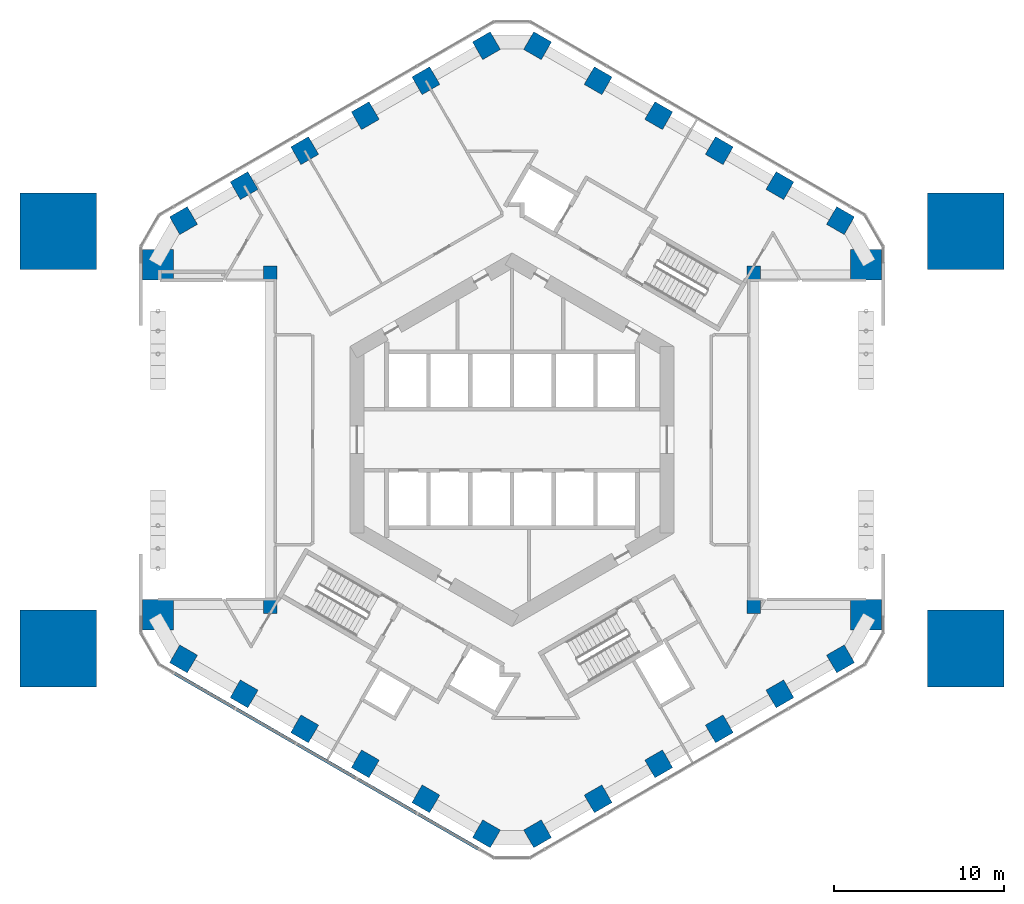
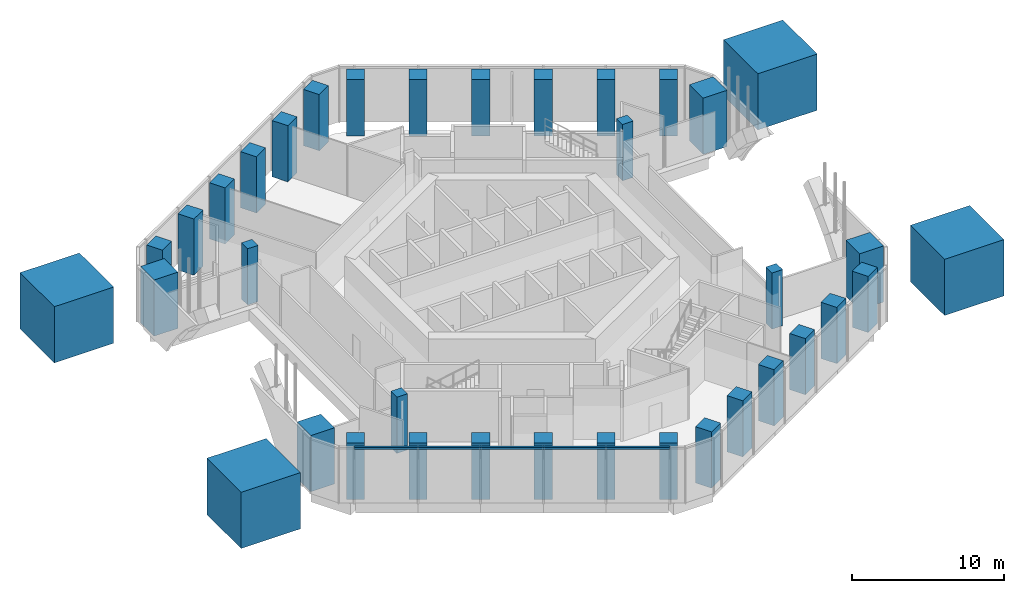
# One storey, part 1 of 14: 36 columns, 1 member, 1 element without a shape of its own.
"""IFC4 building model written with IfcOpenShell, lengths in metres."""

from ifc_helpers import new_model, si_unit, direction, frame, origin, origin_2d, place, context, subcontext, project, spatial, rectangle, extrude, material, layer, layer_set, material_profile, profile_set, type_object, element, aggregate, save


model = new_model("IFC4")

# Units and contexts
model_context = context("Model", 3, precision=1e-05, world=origin(), true_north=direction((0.0, 1.0)))
body_context = subcontext(model_context, "Body", "Model", "MODEL_VIEW")
ifc_project = project(units=[si_unit("LENGTHUNIT", "METRE"), si_unit("AREAUNIT", "SQUARE_METRE"), si_unit("VOLUMEUNIT", "CUBIC_METRE"), si_unit("PLANEANGLEUNIT", "RADIAN"), si_unit("MASSUNIT", "GRAM", prefix="KILO")], contexts=[model_context])

# Site, building, storey
site_placement = place(None, origin())
site = spatial("IfcSite", under=ifc_project, at=site_placement, CompositionType="ELEMENT")
building_placement = place(site_placement, origin())
building = spatial("IfcBuilding", under=site, at=building_placement, Name="Ayvan Gate Tower", CompositionType="ELEMENT")
storey_placement = place(building_placement, frame((0.0, 0.0, 11.5)))
storey = spatial("IfcBuildingStorey", under=building, at=storey_placement, Name="L02", CompositionType="ELEMENT", Elevation=11.5)

# Columns
ifc_material_1 = material(Name="Concrete C70/85", Category="concrete")
ifc_material_profile_1 = material_profile(ifc_material_1, rectangle(XDim=0.800048828125, YDim=0.800048828125, at=origin_2d()), Name="RC 800x800")
ifc_profile_set_1 = profile_set([ifc_material_profile_1], Name="Concrete C70/85")
column_type_1 = type_object("IfcColumnType", Name="Opening jamb column RC 800x800 C70/85", PredefinedType="COLUMN", material=ifc_profile_set_1)
for number, where, z_axis, x_axis, name in (
    (1, (14.199951171875, -9.7978515625, 0.0), (0.0, 0.0, 1.0), (1.0, 0.0, 0.0), "JC-L02-0-A"),
    (2, (14.199951171875, 9.7978515625, 0.0), (0.0, 0.0, 1.0), (1.0, 0.0, 0.0), "JC-L02-0-B"),
    (3, (-14.199951171875, 9.7978515625, 0.0), (0.0, 0.0, 1.0), (-1.0, 0.0, 0.0), "JC-L02-3-A"),
    (4, (-14.199951171875, -9.7978515625, 0.0), (0.0, 0.0, 1.0), (-1.0, 0.0, 0.0), "JC-L02-3-B"),
):
    element("IfcColumn", number, at=place(storey_placement, frame(where, z_axis=z_axis, x_axis=x_axis)), inside=storey, type_object=column_type_1, Name=name, PredefinedType="COLUMN", context=body_context, shape_type="SweptSolid", body=[
        extrude(rectangle(XDim=0.800048828125, YDim=0.800048828125, at=origin_2d()), origin(), (0.0, 0.0, 1.0), 4.5),
    ])
ifc_material_2 = material(Name="Concrete C60/75", Category="concrete")
ifc_material_profile_2 = material_profile(ifc_material_2, rectangle(XDim=4.5, YDim=4.5, at=origin_2d()), Name="RC 4500x4500")
ifc_profile_set_2 = profile_set([ifc_material_profile_2], Name="Concrete C60/75")
column_type_2 = type_object("IfcColumnType", Name="Portal pier RC 4500x4500 C60/75", PredefinedType="COLUMN", material=ifc_profile_set_2)
for number, where, z_axis, x_axis, name in (
    (5, (26.634521484375, 12.25, 0.0), (0.0, 0.0, 1.0), (1.0, 0.0, 0.0), "Portal pier PP-E-N L02"),
    (6, (26.634521484375, -12.25, 0.0), (0.0, 0.0, 1.0), (1.0, 0.0, 0.0), "Portal pier PP-E-S L02"),
    (7, (-26.634521484375, -12.25, 0.0), (0.0, 0.0, 1.0), (-1.0, 0.0, 0.0), "Portal pier PP-W-S L02"),
    (8, (-26.634521484375, 12.25, 0.0), (0.0, 0.0, 1.0), (-1.0, 0.0, 0.0), "Portal pier PP-W-N L02"),
):
    element("IfcColumn", number, at=place(storey_placement, frame(where, z_axis=z_axis, x_axis=x_axis)), inside=storey, type_object=column_type_2, Name=name, PredefinedType="COLUMN", context=body_context, shape_type="SweptSolid", body=[
        extrude(rectangle(XDim=4.5, YDim=4.5, at=origin_2d()), origin(), (0.0, 0.0, 1.0), 4.5),
    ])
ifc_material_profile_3 = material_profile(ifc_material_1, rectangle(XDim=1.199951171875, YDim=1.199951171875, at=origin_2d()), Name="RC 1200x1200")
ifc_profile_set_3 = profile_set([ifc_material_profile_3], Name="Concrete C70/85")
column_type_3 = type_object("IfcColumnType", Name="Tube column RC 1200x1200 C70/85", PredefinedType="COLUMN", material=ifc_profile_set_3)
for number, where, z_axis, x_axis, name in (
    (9, (19.28466796875, 12.865966796875, 0.0), (0.0, 0.0, 1.0), (0.5, 0.866025403784, 0.0), "C-T1-0-L02"),
    (10, (15.727783203125, 14.919677734375, 0.0), (0.0, 0.0, 1.0), (0.5, 0.866025403784, 0.0), "C-T1-1-L02"),
    (11, (12.170654296875, 16.97314453125, 0.0), (0.0, 0.0, 1.0), (0.5, 0.866025403784, 0.0), "C-T1-2-L02"),
    (12, (8.61376953125, 19.02685546875, 0.0), (0.0, 0.0, 1.0), (0.5, 0.866025403784, 0.0), "C-T1-3-L02"),
    (13, (5.056884765625, 21.080322265625, 0.0), (0.0, 0.0, 1.0), (0.5, 0.866025403784, 0.0), "C-T1-4-L02"),
    (14, (1.5, 23.134033203125, 0.0), (0.0, 0.0, 1.0), (0.5, 0.866025403784, 0.0), "C-T1-5-L02"),
    (15, (-1.5, 23.134033203125, 0.0), (0.0, 0.0, 1.0), (-0.5, 0.866025403784, 0.0), "C-T2-0-L02"),
    (16, (-5.056884765625, 21.080322265625, 0.0), (0.0, 0.0, 1.0), (-0.5, 0.866025403784, 0.0), "C-T2-1-L02"),
    (17, (-8.61376953125, 19.02685546875, 0.0), (0.0, 0.0, 1.0), (-0.5, 0.866025403784, 0.0), "C-T2-2-L02"),
    (18, (-12.170654296875, 16.97314453125, 0.0), (0.0, 0.0, 1.0), (-0.5, 0.866025403784, 0.0), "C-T2-3-L02"),
    (19, (-15.727783203125, 14.919677734375, 0.0), (0.0, 0.0, 1.0), (-0.5, 0.866025403784, 0.0), "C-T2-4-L02"),
    (20, (-19.28466796875, 12.865966796875, 0.0), (0.0, 0.0, 1.0), (-0.5, 0.866025403784, 0.0), "C-T2-5-L02"),
    (21, (-19.28466796875, -12.865966796875, 0.0), (0.0, 0.0, 1.0), (-0.5, -0.866025403784, 0.0), "C-T4-0-L02"),
    (22, (-15.727783203125, -14.919677734375, 0.0), (0.0, 0.0, 1.0), (-0.5, -0.866025403784, 0.0), "C-T4-1-L02"),
    (23, (-12.170654296875, -16.97314453125, 0.0), (0.0, 0.0, 1.0), (-0.5, -0.866025403784, 0.0), "C-T4-2-L02"),
    (24, (-8.61376953125, -19.02685546875, 0.0), (0.0, 0.0, 1.0), (-0.5, -0.866025403784, 0.0), "C-T4-3-L02"),
    (25, (-5.056884765625, -21.080322265625, 0.0), (0.0, 0.0, 1.0), (-0.5, -0.866025403784, 0.0), "C-T4-4-L02"),
    (26, (-1.5, -23.134033203125, 0.0), (0.0, 0.0, 1.0), (-0.5, -0.866025403784, 0.0), "C-T4-5-L02"),
    (27, (1.5, -23.134033203125, 0.0), (0.0, 0.0, 1.0), (0.5, -0.866025403784, 0.0), "C-T5-0-L02"),
    (28, (5.056884765625, -21.080322265625, 0.0), (0.0, 0.0, 1.0), (0.5, -0.866025403784, 0.0), "C-T5-1-L02"),
    (29, (8.61376953125, -19.02685546875, 0.0), (0.0, 0.0, 1.0), (0.5, -0.866025403784, 0.0), "C-T5-2-L02"),
    (30, (12.170654296875, -16.97314453125, 0.0), (0.0, 0.0, 1.0), (0.5, -0.866025403784, 0.0), "C-T5-3-L02"),
    (31, (15.727783203125, -14.919677734375, 0.0), (0.0, 0.0, 1.0), (0.5, -0.866025403784, 0.0), "C-T5-4-L02"),
    (32, (19.28466796875, -12.865966796875, 0.0), (0.0, 0.0, 1.0), (0.5, -0.866025403784, 0.0), "C-T5-5-L02"),
):
    element("IfcColumn", number, at=place(storey_placement, frame(where, z_axis=z_axis, x_axis=x_axis)), inside=storey, type_object=column_type_3, Name=name, PredefinedType="COLUMN", context=body_context, shape_type="SweptSolid", body=[
        extrude(rectangle(XDim=1.199951171875, YDim=1.199951171875, at=origin_2d()), origin(), (0.0, 0.0, 1.0), 4.5),
    ])
ifc_material_profile_4 = material_profile(ifc_material_1, rectangle(XDim=1.800048828125, YDim=1.800048828125, at=origin_2d()), Name="RC 1800x1800")
ifc_profile_set_4 = profile_set([ifc_material_profile_4], Name="Concrete C70/85")
column_type_4 = type_object("IfcColumnType", Name="Tube column RC 1800x1800 C70/85", PredefinedType="COLUMN", material=ifc_profile_set_4)
for number, where, z_axis, x_axis, name in (
    (33, (20.78466796875, -10.26806640625, 0.0), (0.0, 0.0, 1.0), (1.0, 0.0, 0.0), "C-T0-0-L02"),
    (34, (20.78466796875, 10.26806640625, 0.0), (0.0, 0.0, 1.0), (1.0, 0.0, 0.0), "C-T0-5-L02"),
    (35, (-20.78466796875, 10.26806640625, 0.0), (0.0, 0.0, 1.0), (-1.0, 0.0, 0.0), "C-T3-0-L02"),
    (36, (-20.78466796875, -10.26806640625, 0.0), (0.0, 0.0, 1.0), (-1.0, 0.0, 0.0), "C-T3-5-L02"),
):
    element("IfcColumn", number, at=place(storey_placement, frame(where, z_axis=z_axis, x_axis=x_axis)), inside=storey, type_object=column_type_4, Name=name, PredefinedType="COLUMN", context=body_context, shape_type="SweptSolid", body=[
        extrude(rectangle(XDim=1.800048828125, YDim=1.800048828125, at=origin_2d()), origin(), (0.0, 0.0, 1.0), 4.5),
    ])

# Curtain wall, member
ifc_material_3 = material(Name="Bronze anodised aluminium", Category="aluminium")
ifc_layer = layer(ifc_material_3, 0.199951171875)
ifc_layer_set = layer_set([ifc_layer], Name="Bronze anodised aluminium")
curtain_wall_type = type_object("IfcCurtainWallType", Name="Stick curtain wall CW-3", PredefinedType="NOTDEFINED", material=ifc_layer_set)
curtain_wall_placement = place(storey_placement, origin())
curtain_wall = element("IfcCurtainWall", 37, at=curtain_wall_placement, inside=storey, type_object=curtain_wall_type, Name="Stick curtain wall CW-3 L02", PredefinedType="NOTDEFINED")
ifc_material_profile_5 = material_profile(ifc_material_3, rectangle(XDim=0.199951171875, YDim=0.159912109375, at=origin_2d()), Name="Stick curtain wall CW-3 transom 200 x 160")
ifc_profile_set_5 = profile_set([ifc_material_profile_5], Name="Bronze anodised aluminium")
member_type = type_object("IfcMemberType", Name="Stick curtain wall CW-3 transom 200 x 160", PredefinedType="USERDEFINED", material=ifc_profile_set_5)
member_placement = place(storey_placement, frame((-19.855224609375, -13.691162109375, 4.419921875), z_axis=(0.866025115303, -0.500000499665, 0.0), x_axis=(0.500000499665, 0.866025115303, 0.0)))
member = element("IfcMember", 38, at=member_placement, type_object=member_type, Name="CW-3 transom 1", ObjectType="TRANSOM", PredefinedType="USERDEFINED", context=body_context, shape_type="SweptSolid", body=[
    extrude(rectangle(XDim=0.199951171875, YDim=0.159912109375, at=origin_2d()), origin(), (0.0, 0.0, 1.0), 20.69921875),
])
aggregate(curtain_wall, [member])

save(model, "model.ifc")
